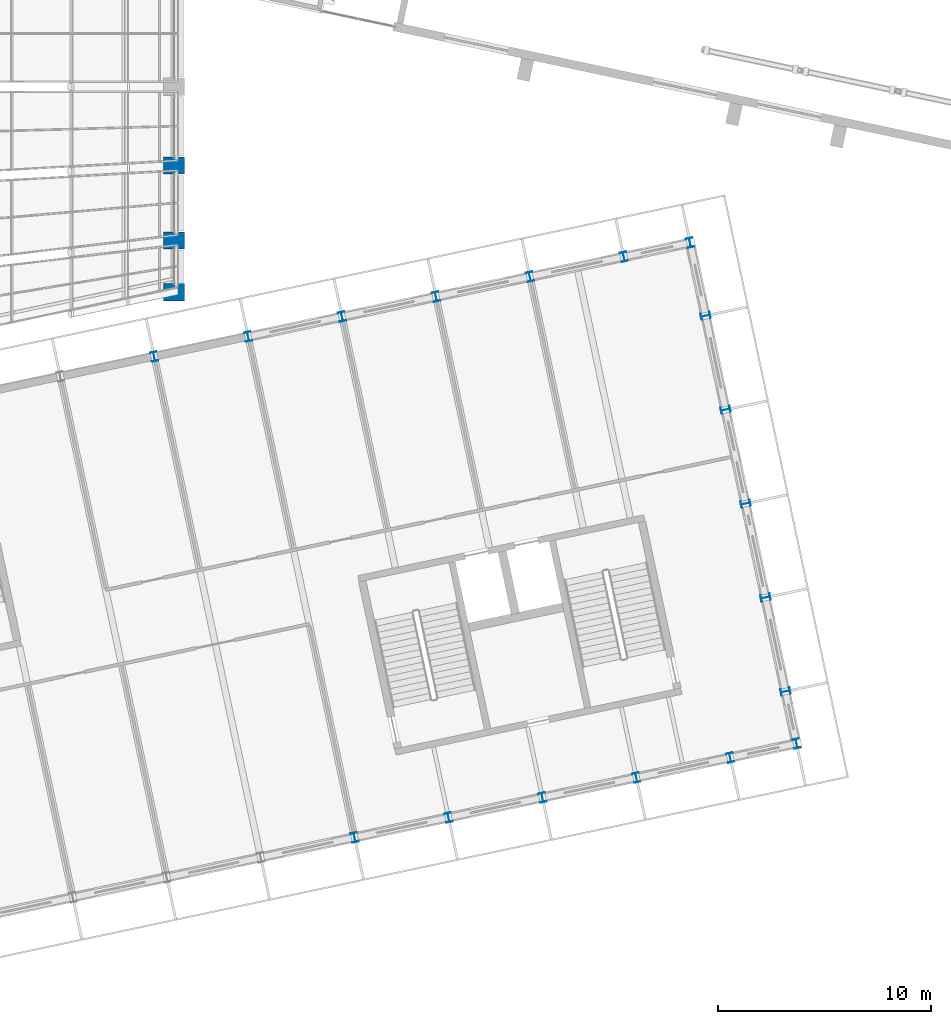
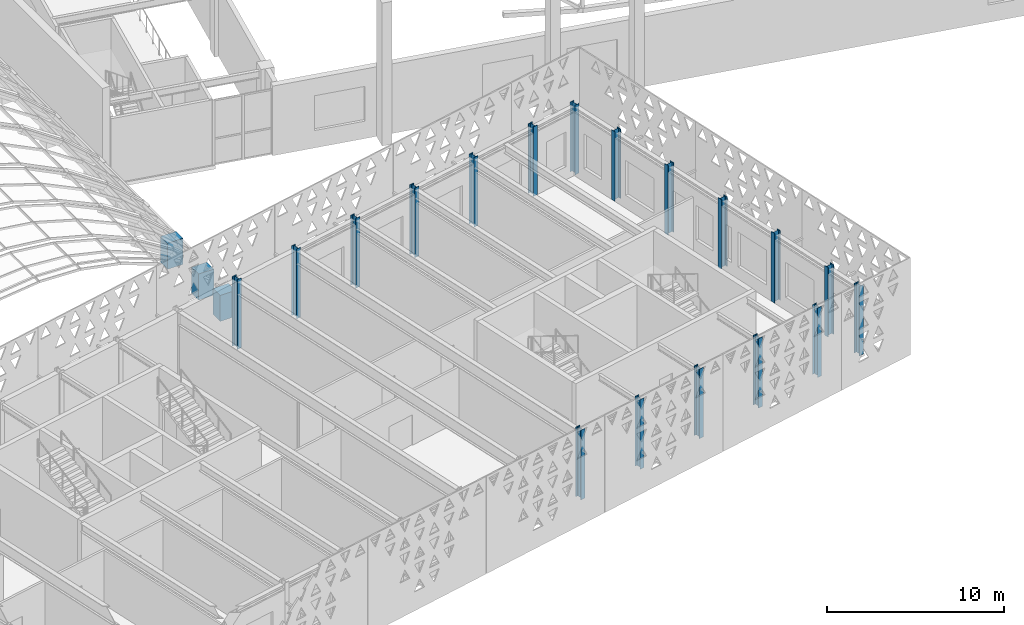
# One storey, part 15 of 182: 21 columns.
"""IFC4 building model written with IfcOpenShell, lengths in metres."""

from ifc_helpers import new_model, si_unit, direction, frame, origin, origin_2d, place, context, subcontext, project, spatial, rectangle, i_section, extrude, material, material_profile, profile_set, type_object, element, save


model = new_model("IFC4")

# Units and contexts
model_context = context("Model", 3, precision=1e-05, world=origin(), true_north=direction((0.0, 1.0)))
body_context = subcontext(model_context, "Body", "Model", "MODEL_VIEW")
ifc_project = project(units=[si_unit("LENGTHUNIT", "METRE"), si_unit("AREAUNIT", "SQUARE_METRE"), si_unit("VOLUMEUNIT", "CUBIC_METRE"), si_unit("PLANEANGLEUNIT", "RADIAN"), si_unit("MASSUNIT", "GRAM", prefix="KILO")], contexts=[model_context])

# Site, building, storey
site_placement = place(None, origin())
site = spatial("IfcSite", under=ifc_project, at=site_placement, CompositionType="ELEMENT")
building_placement = place(site_placement, origin())
building = spatial("IfcBuilding", under=site, at=building_placement, Name="Okhra Congress Centre", CompositionType="ELEMENT")
storey_placement = place(building_placement, frame((0.0, 0.0, 7.199951171875)))
storey = spatial("IfcBuildingStorey", under=building, at=storey_placement, Name="L01", CompositionType="ELEMENT", Elevation=7.199951171875)

# Columns
ifc_material_1 = material(Name="Concrete C40/50", Category="concrete")
ifc_material_profile_1 = material_profile(ifc_material_1, rectangle(XDim=1.0, YDim=0.800048828125, at=origin_2d()), Name="RC 1000x800")
ifc_profile_set_1 = profile_set([ifc_material_profile_1], Name="Concrete C40/50")
column_type_1 = type_object("IfcColumnType", Name="RC pier 1000x800 C40/50", PredefinedType="COLUMN", material=ifc_profile_set_1)
for number, where, z_axis, x_axis, name in (
    (1, (189.0, 81.369140625, 0.0), (0.0, 0.0, 1.0), (1.0, 0.0, 0.0), "WG.COL.L01.pier-E00"),
    (2, (189.0, 83.800048828125, 0.0), (0.0, 0.0, 1.0), (1.0, 0.0, 0.0), "WG.COL.L01.pier-E01"),
    (3, (189.0, 87.300048828125, 0.0), (0.0, 0.0, 1.0), (1.0, 0.0, 0.0), "WG.COL.L01.pier-E02"),
):
    element("IfcColumn", number, at=place(storey_placement, frame(where, z_axis=z_axis, x_axis=x_axis)), inside=storey, type_object=column_type_1, Name=name, PredefinedType="COLUMN", context=body_context, shape_type="SweptSolid", body=[
        extrude(rectangle(XDim=1.0, YDim=0.800048828125, at=origin_2d()), origin(), (0.0, 0.0, 1.0), 1.800048828125),
    ])
ifc_material_2 = material(Name="Steel S355J2", Category="steel")
ifc_material_profile_2 = material_profile(ifc_material_2, i_section(OverallWidth=0.300048828125, OverallDepth=0.449951171875, WebThickness=0.013916015625, FlangeThickness=0.02587890625, FilletRadius=0.027099609375, at=origin_2d()), Name="HE 450 B")
ifc_profile_set_2 = profile_set([ifc_material_profile_2], Name="Steel S355J2")
column_type_2 = type_object("IfcColumnType", Name="Steel post HE 450 B", PredefinedType="COLUMN", material=ifc_profile_set_2)
for number, where, z_axis, x_axis, name in (
    (4, (197.462646484375, 55.81298828125, 0.0), (0.0, 0.0, 1.0), (0.978147600734, 0.207911690818, 0.0), "Post S32"),
    (5, (201.8642578125, 56.74853515625, 0.0), (0.0, 0.0, 1.0), (0.978147600734, 0.207911690818, 0.0), "Post S33"),
    (6, (206.265869140625, 57.68408203125, 0.0), (0.0, 0.0, 1.0), (0.978147600734, 0.207911690818, 0.0), "Post S34"),
    (7, (210.66748046875, 58.61962890625, 0.0), (0.0, 0.0, 1.0), (0.978147600734, 0.207911690818, 0.0), "Post S35"),
    (8, (215.0693359375, 59.555419921875, 0.0), (0.0, 0.0, 1.0), (0.978147600734, 0.207911690818, 0.0), "Post S36"),
    (9, (218.1748046875, 60.21533203125, 0.0), (0.0, 0.0, 1.0), (0.978147600734, 0.207911690818, 0.0), "Post S37"),
    (10, (188.071044921875, 78.352783203125, 0.0), (0.0, 0.0, 1.0), (0.978147600734, 0.207911690818, 0.0), "Post N31"),
    (11, (192.47265625, 79.28857421875, 0.0), (0.0, 0.0, 1.0), (0.978147600734, 0.207911690818, 0.0), "Post N32"),
    (12, (196.874267578125, 80.22412109375, 0.0), (0.0, 0.0, 1.0), (0.978147600734, 0.207911690818, 0.0), "Post N33"),
    (13, (201.276123046875, 81.15966796875, 0.0), (0.0, 0.0, 1.0), (0.978147600734, 0.207911690818, 0.0), "Post N34"),
    (14, (205.677734375, 82.09521484375, 0.0), (0.0, 0.0, 1.0), (0.978147600734, 0.207911690818, 0.0), "Post N35"),
    (15, (210.079345703125, 83.03076171875, 0.0), (0.0, 0.0, 1.0), (0.978147600734, 0.207911690818, 0.0), "Post N36"),
    (16, (213.18505859375, 83.69091796875, 0.0), (0.0, 0.0, 1.0), (0.978147600734, 0.207911690818, 0.0), "Post N37"),
    (17, (217.656005859375, 62.656005859375, 0.0), (0.0, 0.0, 1.0), (-0.207911690818, 0.978147600734, 0.0), "Post E1"),
    (18, (216.720458984375, 67.0576171875, 0.0), (0.0, 0.0, 1.0), (-0.207911690818, 0.978147600734, 0.0), "Post E2"),
    (19, (215.784912109375, 71.459228515625, 0.0), (0.0, 0.0, 1.0), (-0.207911690818, 0.978147600734, 0.0), "Post E3"),
    (20, (214.849365234375, 75.86083984375, 0.0), (0.0, 0.0, 1.0), (-0.207911690818, 0.978147600734, 0.0), "Post E4"),
    (21, (213.913818359375, 80.2626953125, 0.0), (0.0, 0.0, 1.0), (-0.207911690818, 0.978147600734, 0.0), "Post E5"),
):
    element("IfcColumn", number, at=place(storey_placement, frame(where, z_axis=z_axis, x_axis=x_axis)), inside=storey, type_object=column_type_2, Name=name, PredefinedType="COLUMN", context=body_context, shape_type="SweptSolid", body=[
        extrude(i_section(OverallWidth=0.300048828125, OverallDepth=0.449951171875, WebThickness=0.013916015625, FlangeThickness=0.02587890625, FilletRadius=0.027099609375, at=origin_2d()), origin(), (0.0, 0.0, 1.0), 4.800048828125),
    ])

save(model, "model.ifc")
